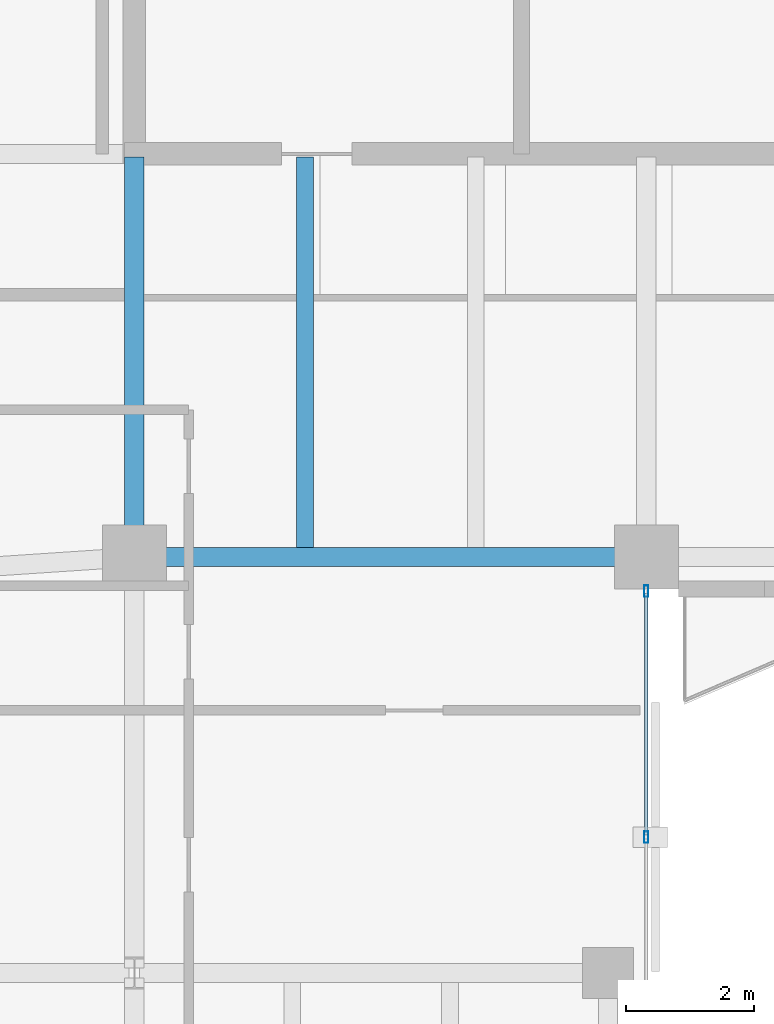
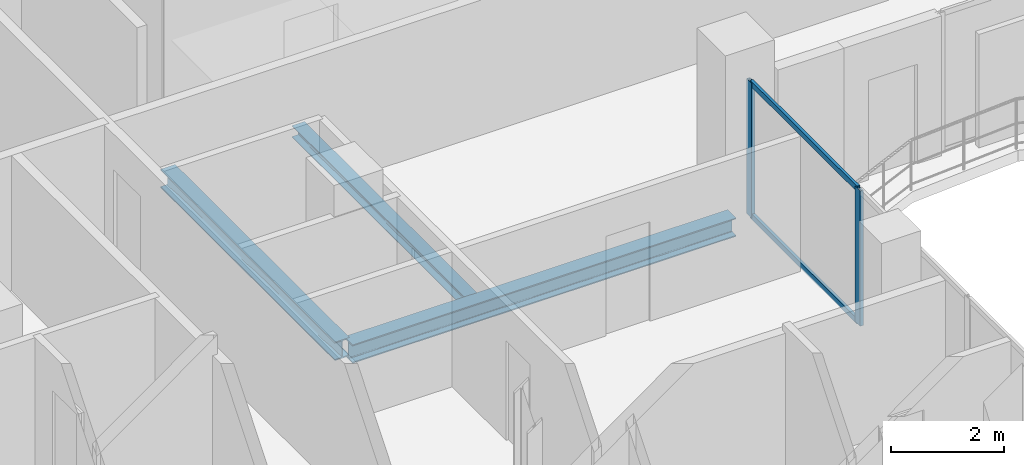
# One storey, part 10 of 23: 4 members, 3 beams, 1 element without a shape of its own.
"""IFC4 building model written with IfcOpenShell, lengths in metres."""

from ifc_helpers import new_model, si_unit, direction, frame, origin, origin_2d, place, context, subcontext, project, spatial, hollow_rectangle, i_section, extrude, material, layer, layer_set, material_profile, profile_set, type_object, element, aggregate, save


model = new_model("IFC4")

# Units and contexts
model_context = context("Model", 3, precision=1e-05, world=origin(), true_north=direction((0.0, 1.0)))
body_context = subcontext(model_context, "Body", "Model", "MODEL_VIEW")
ifc_project = project(units=[si_unit("LENGTHUNIT", "METRE"), si_unit("AREAUNIT", "SQUARE_METRE"), si_unit("VOLUMEUNIT", "CUBIC_METRE"), si_unit("PLANEANGLEUNIT", "RADIAN"), si_unit("MASSUNIT", "GRAM", prefix="KILO")], contexts=[model_context])

# Site, building, storey
site_placement = place(None, origin())
site = spatial("IfcSite", under=ifc_project, at=site_placement, CompositionType="ELEMENT")
building_placement = place(site_placement, origin())
building = spatial("IfcBuilding", under=site, at=building_placement, Name="Catumbela Crestline Tower", CompositionType="ELEMENT")
storey_placement = place(building_placement, frame((0.0, 0.0, 172.2)))
storey = spatial("IfcBuildingStorey", under=building, at=storey_placement, Name="L44", CompositionType="ELEMENT", Elevation=172.2)

# Beams
ifc_material_1 = material(Name="Structural steel S355J2", Category="steel")
ifc_material_profile_1 = material_profile(ifc_material_1, i_section(OverallWidth=0.3, OverallDepth=0.4, WebThickness=0.0135, FlangeThickness=0.024, FilletRadius=0.027, at=origin_2d()), Name="HEB 400")
ifc_profile_set_1 = profile_set([ifc_material_profile_1], Name="Structural steel S355J2")
beam_type_1 = type_object("IfcBeamType", Name="BG-HEB400", PredefinedType="BEAM", material=ifc_profile_set_1)
beam_1_placement = place(storey_placement, frame((16.08, 24.5, -0.46), z_axis=(1.0, 0.0, 0.0), x_axis=(0.0, 1.0, 0.0)))
element("IfcBeam", 1, at=beam_1_placement, inside=storey, type_object=beam_type_1, Name="L44 Beam BM-L44-S03", PredefinedType="BEAM", context=body_context, shape_type="SweptSolid", body=[
    extrude(i_section(OverallWidth=0.3, OverallDepth=0.4, WebThickness=0.0135, FlangeThickness=0.024, FilletRadius=0.027, at=origin_2d()), origin(), (0.0, 0.0, 1.0), 7.84),
])
beam_2_placement = place(storey_placement, frame((16.0, 24.58, -0.46), z_axis=(0.0, 1.0, 0.0), x_axis=(-1.0, 0.0, 0.0)))
element("IfcBeam", 2, at=beam_2_placement, inside=storey, type_object=beam_type_1, Name="L44 Beam BM-L44-SNS17", PredefinedType="BEAM", context=body_context, shape_type="SweptSolid", body=[
    extrude(i_section(OverallWidth=0.3, OverallDepth=0.4, WebThickness=0.0135, FlangeThickness=0.024, FilletRadius=0.027, at=origin_2d()), origin(), (0.0, 0.0, 1.0), 6.17),
])
ifc_material_profile_2 = material_profile(ifc_material_1, i_section(OverallWidth=0.26, OverallDepth=0.25, WebThickness=0.0075, FlangeThickness=0.0125, FilletRadius=0.024, at=origin_2d()), Name="HEA 260")
ifc_profile_set_2 = profile_set([ifc_material_profile_2], Name="Structural steel S355J2")
beam_type_2 = type_object("IfcBeamType", Name="BJ-HEA260", PredefinedType="JOIST", material=ifc_profile_set_2)
beam_3_placement = place(storey_placement, frame((18.667, 24.647, -0.385), z_axis=(0.0, 1.0, 0.0), x_axis=(-1.0, 0.0, 0.0)))
element("IfcBeam", 3, at=beam_3_placement, inside=storey, type_object=beam_type_2, Name="L44 Joist JS-L44-SP26", PredefinedType="JOIST", context=body_context, shape_type="SweptSolid", body=[
    extrude(i_section(OverallWidth=0.26, OverallDepth=0.25, WebThickness=0.0075, FlangeThickness=0.0125, FilletRadius=0.024, at=origin_2d()), origin(), (0.0, 0.0, 1.0), 6.103),
])

# Curtain wall, members
ifc_material_2 = material(Name="Aluminium alloy AW-6060-T66", Category="aluminium")
ifc_layer = layer(ifc_material_2, 0.18, Name="Aluminium alloy AW-6060-T66")
ifc_layer_set = layer_set([ifc_layer], Name="Aluminium alloy AW-6060-T66")
curtain_wall_type = type_object("IfcCurtainWallType", Name="CWU-Z3", PredefinedType="USERDEFINED", material=ifc_layer_set)
curtain_wall_placement = place(storey_placement, origin())
curtain_wall = element("IfcCurtainWall", 4, at=curtain_wall_placement, inside=storey, type_object=curtain_wall_type, Name="L44 Unitised Curtain Wall CW-L44-E2S1", ObjectType="UNITISED", PredefinedType="USERDEFINED")
ifc_material_profile_3 = material_profile(ifc_material_2, hollow_rectangle(XDim=0.065, YDim=0.18, WallThickness=0.004, at=origin_2d()), Name="ALU 180x65x4")
ifc_profile_set_3 = profile_set([ifc_material_profile_3], Name="Aluminium alloy AW-6060-T66")
member_type_1 = type_object("IfcMemberType", Name="MUL-180X65", PredefinedType="MULLION", material=ifc_profile_set_3)
member_1_placement = place(storey_placement, frame((24.0, 20.125, 0.0), z_axis=(0.0, 0.0, 1.0), x_axis=(-1.0, 0.0, 0.0)))
member_1 = element("IfcMember", 5, at=member_1_placement, type_object=member_type_1, Name="CWU-Z3 mullion 4", PredefinedType="MULLION", context=body_context, shape_type="SweptSolid", body=[
    extrude(hollow_rectangle(XDim=0.065, YDim=0.18, WallThickness=0.004, at=origin_2d()), origin(), (0.0, 0.0, 1.0), 2.92),
])
member_2_placement = place(storey_placement, frame((24.0, 23.9675, 0.0), z_axis=(0.0, 0.0, 1.0), x_axis=(-1.0, 0.0, 0.0)))
member_2 = element("IfcMember", 6, at=member_2_placement, type_object=member_type_1, Name="CWU-Z3 mullion 5", PredefinedType="MULLION", context=body_context, shape_type="SweptSolid", body=[
    extrude(hollow_rectangle(XDim=0.065, YDim=0.18, WallThickness=0.004, at=origin_2d()), origin(), (0.0, 0.0, 1.0), 2.92),
])
ifc_material_profile_4 = material_profile(ifc_material_2, hollow_rectangle(XDim=0.06, YDim=0.12, WallThickness=0.0035, at=origin_2d()), Name="ALU 120x60x3.5")
ifc_profile_set_4 = profile_set([ifc_material_profile_4], Name="Aluminium alloy AW-6060-T66")
member_type_2 = type_object("IfcMemberType", Name="TRN-120X60", PredefinedType="USERDEFINED", material=ifc_profile_set_4)
member_3_placement = place(storey_placement, frame((24.0, 20.1575, 0.03), z_axis=(0.0, 1.0, 0.0), x_axis=(-1.0, 0.0, 0.0)))
member_3 = element("IfcMember", 7, at=member_3_placement, type_object=member_type_2, Name="CWU-Z3 transom 4.1", ObjectType="TRANSOM", PredefinedType="USERDEFINED", context=body_context, shape_type="SweptSolid", body=[
    extrude(hollow_rectangle(XDim=0.06, YDim=0.12, WallThickness=0.0035, at=origin_2d()), origin(), (0.0, 0.0, 1.0), 3.7775),
])
member_4_placement = place(storey_placement, frame((24.0, 20.1575, 2.89), z_axis=(0.0, 1.0, 0.0), x_axis=(-1.0, 0.0, 0.0)))
member_4 = element("IfcMember", 8, at=member_4_placement, type_object=member_type_2, Name="CWU-Z3 transom 4.2", ObjectType="TRANSOM", PredefinedType="USERDEFINED", context=body_context, shape_type="SweptSolid", body=[
    extrude(hollow_rectangle(XDim=0.06, YDim=0.12, WallThickness=0.0035, at=origin_2d()), origin(), (0.0, 0.0, 1.0), 3.7775),
])
aggregate(curtain_wall, [member_1, member_2, member_3, member_4])

save(model, "model.ifc")
